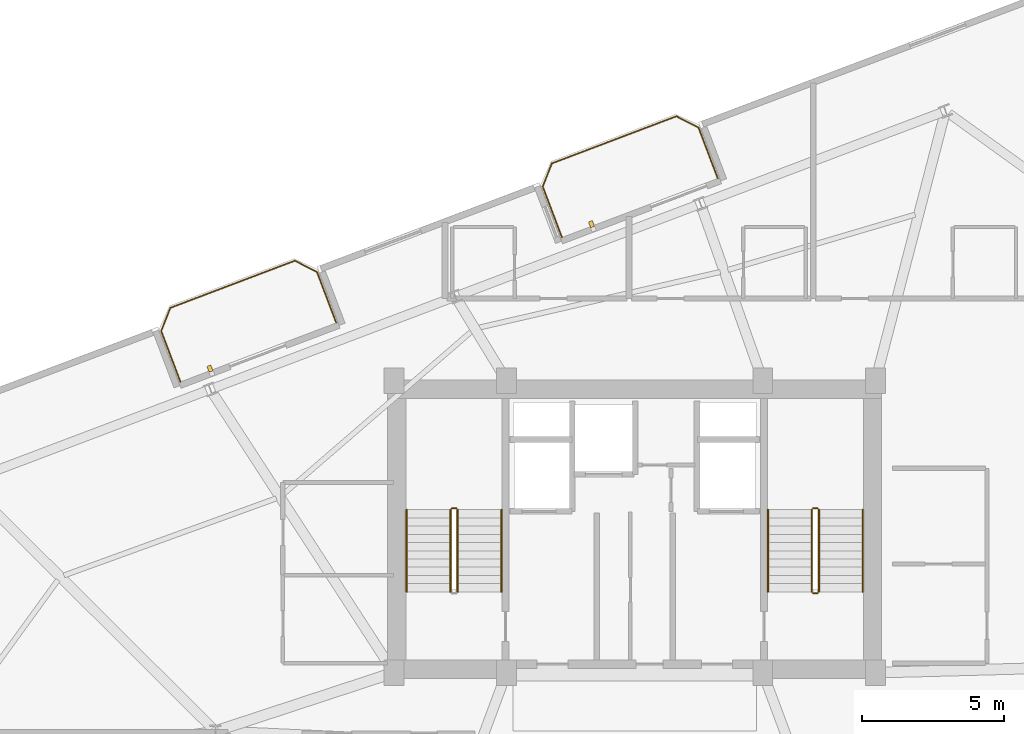
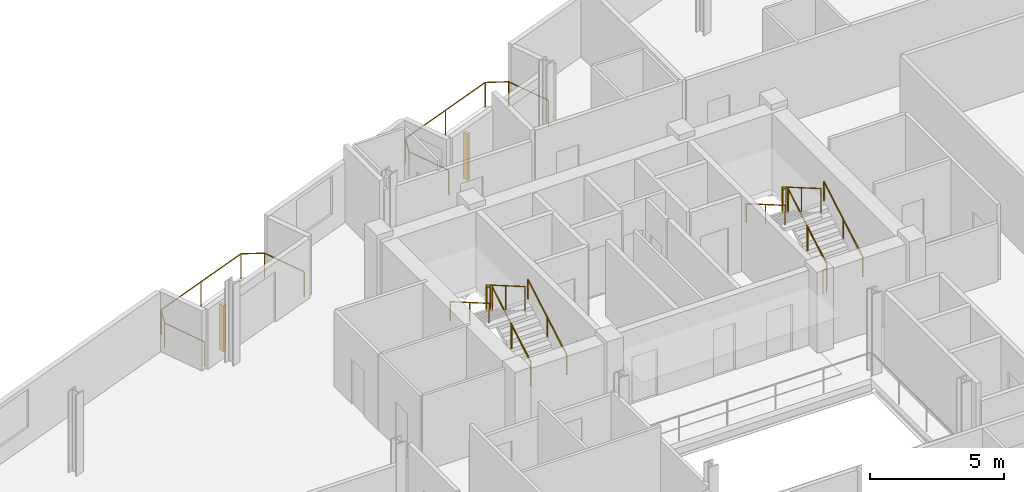
# One storey, part 20 of 20: 13 railings, 2 shading devices.
"""IFC4 building model written with IfcOpenShell, lengths in metres."""

from ifc_helpers import new_model, si_unit, direction, frame, origin, origin_2d, place, context, subcontext, project, spatial, rectangle, circle, extrude, source, transform, mapped, material, type_object, element, save


model = new_model("IFC4")

# Units and contexts
model_context = context("Model", 3, precision=1e-05, world=origin(), true_north=direction((0.0, 1.0)))
body_context = subcontext(model_context, "Body", "Model", "MODEL_VIEW")
ifc_project = project(units=[si_unit("LENGTHUNIT", "METRE"), si_unit("AREAUNIT", "SQUARE_METRE"), si_unit("VOLUMEUNIT", "CUBIC_METRE"), si_unit("PLANEANGLEUNIT", "RADIAN"), si_unit("MASSUNIT", "GRAM", prefix="KILO")], contexts=[model_context])

# Site, building, storey
site_placement = place(None, origin())
site = spatial("IfcSite", under=ifc_project, at=site_placement, CompositionType="ELEMENT")
building_placement = place(site_placement, origin())
building = spatial("IfcBuilding", under=site, at=building_placement, Name="Varnelok Gate Tower", CompositionType="ELEMENT")
storey_placement = place(building_placement, frame((0.0, 0.0, 238.60009765625)))
storey = spatial("IfcBuildingStorey", under=building, at=storey_placement, Name="L61", CompositionType="ELEMENT", Elevation=238.60009765625)

# Railings
ifc_material_1 = material(Name="Low-E Laminated Double Glazing IGU", Category="glass")
railing_type_1 = type_object("IfcRailingType", Name="RL-BALC-1150", PredefinedType="BALUSTRADE", material=ifc_material_1)
railing_1_placement = place(storey_placement, frame((23.166748046875, 39.011474609375, 0.0)))
element("IfcRailing", 1, at=railing_1_placement, inside=storey, type_object=railing_type_1, Name="L61 North Terrace Balustrade 3", PredefinedType="BALUSTRADE", context=body_context, shape_type="SweptSolid", body=[
    extrude(circle(Radius=0.02392578125, at=origin_2d()), frame((0.0, 0.0, 1.1259765625), z_axis=(-0.354159661475, 0.935184973245, 0.0), x_axis=(-0.935184973245, -0.354159661475, 0.0)), (0.0, 0.0, 1.0), 1.919921875),
    extrude(circle(Radius=0.02392578125, at=origin_2d()), frame((-0.679931640625, 1.79541015625, 1.1259765625), z_axis=(0.366495340819, 0.93041988648, 0.0), x_axis=(-0.93041988648, 0.366495340819, 0.0)), (0.0, 0.0, 1.0), 0.8779296875),
    extrude(circle(Radius=0.02392578125, at=origin_2d()), frame((-0.358154296875, 2.6123046875, 1.1259765625), z_axis=(0.935223045203, 0.354059113314, 0.0), x_axis=(-0.354059113314, 0.935223045203, 0.0)), (0.0, 0.0, 1.0), 4.699951171875),
    extrude(circle(Radius=0.02392578125, at=origin_2d()), frame((4.037353515625, 4.2763671875, 1.1259765625), z_axis=(0.89078254773, -0.454429810487, 0.0), x_axis=(0.454429810487, 0.89078254773, 0.0)), (0.0, 0.0, 1.0), 0.8779296875),
    extrude(circle(Radius=0.02392578125, at=origin_2d()), frame((4.8193359375, 3.87744140625, 1.1259765625), z_axis=(0.354006333352, -0.935243025073, 0.0), x_axis=(0.935243025073, 0.354006333352, 0.0)), (0.0, 0.0, 1.0), 1.919921875),
    extrude(circle(Radius=0.02099609375, at=origin_2d()), origin(), (0.0, 0.0, 1.0), 1.101806640625),
    extrude(circle(Radius=0.02099609375, at=origin_2d()), frame((-0.679931640625, 1.79541015625, 0.0)), (0.0, 0.0, 1.0), 1.101806640625),
    extrude(circle(Radius=0.02099609375, at=origin_2d()), frame((-0.358154296875, 2.6123046875, 0.0)), (0.0, 0.0, 1.0), 1.101806640625),
    extrude(circle(Radius=0.02099609375, at=origin_2d()), frame((1.839599609375, 3.4443359375, 0.0)), (0.0, 0.0, 1.0), 1.101806640625),
    extrude(circle(Radius=0.02099609375, at=origin_2d()), frame((4.037353515625, 4.2763671875, 0.0)), (0.0, 0.0, 1.0), 1.101806640625),
    extrude(circle(Radius=0.02099609375, at=origin_2d()), frame((4.8193359375, 3.87744140625, 0.0)), (0.0, 0.0, 1.0), 1.101806640625),
    extrude(circle(Radius=0.02099609375, at=origin_2d()), frame((5.4990234375, 2.081787109375, 0.0)), (0.0, 0.0, 1.0), 1.101806640625),
])
railing_2_placement = place(storey_placement, frame((36.6337890625, 44.10986328125, 0.0)))
element("IfcRailing", 2, at=railing_2_placement, inside=storey, type_object=railing_type_1, Name="L61 North Terrace Balustrade 4", PredefinedType="BALUSTRADE", context=body_context, shape_type="SweptSolid", body=[
    extrude(circle(Radius=0.02392578125, at=origin_2d()), frame((0.0, 0.0, 1.1259765625), z_axis=(-0.354006333352, 0.935243025073, 0.0), x_axis=(-0.935243025073, -0.354006333352, 0.0)), (0.0, 0.0, 1.0), 1.919921875),
    extrude(circle(Radius=0.02392578125, at=origin_2d()), frame((-0.6796875, 1.795654296875, 1.1259765625), z_axis=(0.366254584666, 0.930514685113, 0.0), x_axis=(-0.930514685113, 0.366254584666, 0.0)), (0.0, 0.0, 1.0), 0.8779296875),
    extrude(circle(Radius=0.02392578125, at=origin_2d()), frame((-0.358154296875, 2.612548828125, 1.1259765625), z_axis=(0.935229556479, 0.354041913744, 0.0), x_axis=(-0.354041913744, 0.935229556479, 0.0)), (0.0, 0.0, 1.0), 4.7001953125),
    extrude(circle(Radius=0.02392578125, at=origin_2d()), frame((4.03759765625, 4.276611328125, 1.1259765625), z_axis=(0.890612455555, -0.454763074589, 0.0), x_axis=(0.454763074589, 0.890612455555, 0.0)), (0.0, 0.0, 1.0), 0.877685546875),
    extrude(circle(Radius=0.02392578125, at=origin_2d()), frame((4.8193359375, 3.87744140625, 1.1259765625), z_axis=(0.354159661475, -0.935184973245, 0.0), x_axis=(0.935184973245, 0.354159661475, 0.0)), (0.0, 0.0, 1.0), 1.919921875),
    extrude(circle(Radius=0.02099609375, at=origin_2d()), origin(), (0.0, 0.0, 1.0), 1.101806640625),
    extrude(circle(Radius=0.02099609375, at=origin_2d()), frame((-0.6796875, 1.795654296875, 0.0)), (0.0, 0.0, 1.0), 1.101806640625),
    extrude(circle(Radius=0.02099609375, at=origin_2d()), frame((-0.358154296875, 2.612548828125, 0.0)), (0.0, 0.0, 1.0), 1.101806640625),
    extrude(circle(Radius=0.02099609375, at=origin_2d()), frame((1.83984375, 3.444580078125, 0.0)), (0.0, 0.0, 1.0), 1.101806640625),
    extrude(circle(Radius=0.02099609375, at=origin_2d()), frame((4.03759765625, 4.276611328125, 0.0)), (0.0, 0.0, 1.0), 1.101806640625),
    extrude(circle(Radius=0.02099609375, at=origin_2d()), frame((4.8193359375, 3.87744140625, 0.0)), (0.0, 0.0, 1.0), 1.101806640625),
    extrude(circle(Radius=0.02099609375, at=origin_2d()), frame((5.499267578125, 2.08203125, 0.0)), (0.0, 0.0, 1.0), 1.101806640625),
])
ifc_material_2 = material(Name="Brushed Stainless Steel AISI 316", Category="steel")
railing_type_2 = type_object("IfcRailingType", Name="RL-HANDRAIL-900", PredefinedType="HANDRAIL", material=ifc_material_2)
railing_3_placement = place(storey_placement, frame((34.5, 31.60009765625, 0.16796875)))
element("IfcRailing", 3, at=railing_3_placement, inside=storey, type_object=railing_type_2, Name="L61 ST-1 stair handrail 1", PredefinedType="HANDRAIL", context=body_context, shape_type="SweptSolid", body=[
    extrude(circle(Radius=0.02392578125, at=origin_2d()), frame((0.0, 0.0, 0.8759765625), z_axis=(0.0, 0.865038774852, 0.501705010941), x_axis=(-1.0, 0.0, 0.0)), (0.0, 0.0, 1.0), 3.352294921875),
    extrude(circle(Radius=0.02099609375, at=origin_2d()), origin(), (0.0, 0.0, 1.0), 0.851806640625),
    extrude(circle(Radius=0.02099609375, at=origin_2d()), frame((0.0, 1.449951171875, 0.8408203125)), (0.0, 0.0, 1.0), 0.851806640625),
    extrude(circle(Radius=0.02099609375, at=origin_2d()), frame((0.0, 2.89990234375, 1.681884765625)), (0.0, 0.0, 1.0), 0.851806640625),
])
railing_4_placement = place(storey_placement, frame((31.14990234375, 34.5, 2.01806640625)))
element("IfcRailing", 4, at=railing_4_placement, inside=storey, type_object=railing_type_2, Name="L61 ST-1 stair handrail 2", PredefinedType="HANDRAIL", context=body_context, shape_type="SweptSolid", body=[
    extrude(circle(Radius=0.02392578125, at=origin_2d()), frame((0.0, 0.0, 0.8759765625), z_axis=(0.0, -0.865038774852, 0.501705010941), x_axis=(1.0, 0.0, 0.0)), (0.0, 0.0, 1.0), 3.352294921875),
    extrude(circle(Radius=0.02099609375, at=origin_2d()), origin(), (0.0, 0.0, 1.0), 0.851806640625),
    extrude(circle(Radius=0.02099609375, at=origin_2d()), frame((0.0, -1.449951171875, 0.8408203125)), (0.0, 0.0, 1.0), 0.851806640625),
    extrude(circle(Radius=0.02099609375, at=origin_2d()), frame((0.0, -2.89990234375, 1.681884765625)), (0.0, 0.0, 1.0), 0.851806640625),
])
railing_5_placement = place(storey_placement, frame((47.25, 31.60009765625, 0.16796875)))
element("IfcRailing", 5, at=railing_5_placement, inside=storey, type_object=railing_type_2, Name="L61 ST-2 stair handrail 1", PredefinedType="HANDRAIL", context=body_context, shape_type="SweptSolid", body=[
    extrude(circle(Radius=0.02392578125, at=origin_2d()), frame((0.0, 0.0, 0.8759765625), z_axis=(0.0, 0.865038774852, 0.501705010941), x_axis=(-1.0, 0.0, 0.0)), (0.0, 0.0, 1.0), 3.352294921875),
    extrude(circle(Radius=0.02099609375, at=origin_2d()), origin(), (0.0, 0.0, 1.0), 0.851806640625),
    extrude(circle(Radius=0.02099609375, at=origin_2d()), frame((0.0, 1.449951171875, 0.8408203125)), (0.0, 0.0, 1.0), 0.851806640625),
    extrude(circle(Radius=0.02099609375, at=origin_2d()), frame((0.0, 2.89990234375, 1.681884765625)), (0.0, 0.0, 1.0), 0.851806640625),
])
railing_6_placement = place(storey_placement, frame((43.89990234375, 34.5, 2.01806640625)))
element("IfcRailing", 6, at=railing_6_placement, inside=storey, type_object=railing_type_2, Name="L61 ST-2 stair handrail 2", PredefinedType="HANDRAIL", context=body_context, shape_type="SweptSolid", body=[
    extrude(circle(Radius=0.02392578125, at=origin_2d()), frame((0.0, 0.0, 0.8759765625), z_axis=(0.0, -0.865038774852, 0.501705010941), x_axis=(1.0, 0.0, 0.0)), (0.0, 0.0, 1.0), 3.352294921875),
    extrude(circle(Radius=0.02099609375, at=origin_2d()), origin(), (0.0, 0.0, 1.0), 0.851806640625),
    extrude(circle(Radius=0.02099609375, at=origin_2d()), frame((0.0, -1.449951171875, 0.8408203125)), (0.0, 0.0, 1.0), 0.851806640625),
    extrude(circle(Radius=0.02099609375, at=origin_2d()), frame((0.0, -2.89990234375, 1.681884765625)), (0.0, 0.0, 1.0), 0.851806640625),
])
ifc_material_3 = material(Name="Galvanized Steel Grade S350GD", Category="steel")
railing_type_3 = type_object("IfcRailingType", Name="RL-STAIR-GUARD1120", PredefinedType="GUARDRAIL", material=ifc_material_3)
railing_7_placement = place(storey_placement, frame((32.949951171875, 31.60009765625, 0.16796875)))
element("IfcRailing", 7, at=railing_7_placement, inside=storey, type_object=railing_type_3, Name="L61 ST-1 stair guard 1", PredefinedType="GUARDRAIL", context=body_context, shape_type="SweptSolid", body=[
    extrude(circle(Radius=0.02392578125, at=origin_2d()), frame((0.0, 0.0, 1.09619140625), z_axis=(0.0, 0.865038774852, 0.501705010941), x_axis=(-1.0, 0.0, 0.0)), (0.0, 0.0, 1.0), 3.352294921875),
    extrude(circle(Radius=0.02099609375, at=origin_2d()), origin(), (0.0, 0.0, 1.0), 1.072021484375),
    extrude(circle(Radius=0.02099609375, at=origin_2d()), frame((0.0, 1.449951171875, 0.8408203125)), (0.0, 0.0, 1.0), 1.072021484375),
    extrude(circle(Radius=0.02099609375, at=origin_2d()), frame((0.0, 2.89990234375, 1.681884765625)), (0.0, 0.0, 1.0), 1.072021484375),
])
railing_8_placement = place(storey_placement, frame((32.89990234375, 34.550048828125, 1.849853515625)))
element("IfcRailing", 8, at=railing_8_placement, inside=storey, type_object=railing_type_3, Name="L61 ST-1 stair guard 2", PredefinedType="GUARDRAIL", context=body_context, shape_type="SweptSolid", body=[
    extrude(circle(Radius=0.02392578125, at=origin_2d()), frame((0.0, 0.0, 1.09619140625), z_axis=(-1.0, 0.0, 0.0), x_axis=(0.0, -1.0, 0.0)), (0.0, 0.0, 1.0), 0.14990234375),
    extrude(circle(Radius=0.02099609375, at=origin_2d()), origin(), (0.0, 0.0, 1.0), 1.072021484375),
    extrude(circle(Radius=0.02099609375, at=origin_2d()), frame((-0.14990234375, 0.0, 0.0)), (0.0, 0.0, 1.0), 1.072021484375),
])
railing_9_placement = place(storey_placement, frame((32.699951171875, 34.5, 2.01806640625)))
element("IfcRailing", 9, at=railing_9_placement, inside=storey, type_object=railing_type_3, Name="L61 ST-1 stair guard 3", PredefinedType="GUARDRAIL", context=body_context, shape_type="SweptSolid", body=[
    extrude(circle(Radius=0.02392578125, at=origin_2d()), frame((0.0, 0.0, 1.09619140625), z_axis=(0.0, -0.865038774852, 0.501705010941), x_axis=(1.0, 0.0, 0.0)), (0.0, 0.0, 1.0), 3.352294921875),
    extrude(circle(Radius=0.02099609375, at=origin_2d()), origin(), (0.0, 0.0, 1.0), 1.072021484375),
    extrude(circle(Radius=0.02099609375, at=origin_2d()), frame((0.0, -1.449951171875, 0.8408203125)), (0.0, 0.0, 1.0), 1.072021484375),
    extrude(circle(Radius=0.02099609375, at=origin_2d()), frame((0.0, -2.89990234375, 1.681884765625)), (0.0, 0.0, 1.0), 1.072021484375),
])
railing_10_placement = place(storey_placement, frame((45.699951171875, 31.60009765625, 0.16796875)))
element("IfcRailing", 10, at=railing_10_placement, inside=storey, type_object=railing_type_3, Name="L61 ST-2 stair guard 1", PredefinedType="GUARDRAIL", context=body_context, shape_type="SweptSolid", body=[
    extrude(circle(Radius=0.02392578125, at=origin_2d()), frame((0.0, 0.0, 1.09619140625), z_axis=(0.0, 0.865038774852, 0.501705010941), x_axis=(-1.0, 0.0, 0.0)), (0.0, 0.0, 1.0), 3.352294921875),
    extrude(circle(Radius=0.02099609375, at=origin_2d()), origin(), (0.0, 0.0, 1.0), 1.072021484375),
    extrude(circle(Radius=0.02099609375, at=origin_2d()), frame((0.0, 1.449951171875, 0.8408203125)), (0.0, 0.0, 1.0), 1.072021484375),
    extrude(circle(Radius=0.02099609375, at=origin_2d()), frame((0.0, 2.89990234375, 1.681884765625)), (0.0, 0.0, 1.0), 1.072021484375),
])
railing_11_placement = place(storey_placement, frame((45.64990234375, 34.550048828125, 1.849853515625)))
element("IfcRailing", 11, at=railing_11_placement, inside=storey, type_object=railing_type_3, Name="L61 ST-2 stair guard 2", PredefinedType="GUARDRAIL", context=body_context, shape_type="SweptSolid", body=[
    extrude(circle(Radius=0.02392578125, at=origin_2d()), frame((0.0, 0.0, 1.09619140625), z_axis=(-1.0, 0.0, 0.0), x_axis=(0.0, -1.0, 0.0)), (0.0, 0.0, 1.0), 0.14990234375),
    extrude(circle(Radius=0.02099609375, at=origin_2d()), origin(), (0.0, 0.0, 1.0), 1.072021484375),
    extrude(circle(Radius=0.02099609375, at=origin_2d()), frame((-0.14990234375, 0.0, 0.0)), (0.0, 0.0, 1.0), 1.072021484375),
])
railing_12_placement = place(storey_placement, frame((45.449951171875, 34.5, 2.01806640625)))
element("IfcRailing", 12, at=railing_12_placement, inside=storey, type_object=railing_type_3, Name="L61 ST-2 stair guard 3", PredefinedType="GUARDRAIL", context=body_context, shape_type="SweptSolid", body=[
    extrude(circle(Radius=0.02392578125, at=origin_2d()), frame((0.0, 0.0, 1.09619140625), z_axis=(0.0, -0.865038774852, 0.501705010941), x_axis=(1.0, 0.0, 0.0)), (0.0, 0.0, 1.0), 3.352294921875),
    extrude(circle(Radius=0.02099609375, at=origin_2d()), origin(), (0.0, 0.0, 1.0), 1.072021484375),
    extrude(circle(Radius=0.02099609375, at=origin_2d()), frame((0.0, -1.449951171875, 0.8408203125)), (0.0, 0.0, 1.0), 1.072021484375),
    extrude(circle(Radius=0.02099609375, at=origin_2d()), frame((0.0, -2.89990234375, 1.681884765625)), (0.0, 0.0, 1.0), 1.072021484375),
])
railing_13_placement = place(storey_placement, frame((45.64990234375, 31.550048828125, 0.0)))
element("IfcRailing", 13, at=railing_13_placement, inside=storey, type_object=railing_type_3, Name="L61 ST-2 stair guard 4", PredefinedType="GUARDRAIL", context=body_context, shape_type="SweptSolid", body=[
    extrude(circle(Radius=0.02392578125, at=origin_2d()), frame((0.0, 0.0, 1.09619140625), z_axis=(-1.0, 0.0, 0.0), x_axis=(0.0, -1.0, 0.0)), (0.0, 0.0, 1.0), 0.14990234375),
    extrude(circle(Radius=0.02099609375, at=origin_2d()), origin(), (0.0, 0.0, 1.0), 1.072021484375),
    extrude(circle(Radius=0.02099609375, at=origin_2d()), frame((-0.14990234375, 0.0, 0.0)), (0.0, 0.0, 1.0), 1.072021484375),
])

# Shading devices
ifc_material_4 = material(Name="Glazed Architectural Terracotta Ceramic", Category="masonry")
shading_device_type = type_object("IfcShadingDeviceType", Name="SHD-TERRA-FIN", PredefinedType="USERDEFINED", material=ifc_material_4)
shared_shape = source(origin(), body_context, "Body", "SweptSolid", [
    extrude(rectangle(XDim=0.139892578125, YDim=0.219970703125, at=origin_2d()), origin(), (0.0, 0.0, 1.0), 2.10009765625),
])
for number, where, z_axis, x_axis, name in (
    (14, (24.2080078125, 39.48046875, 0.099853515625), (0.0, 0.0, 1.0), (0.935221751401, 0.354062530786, 0.0), "L61 Terracotta Ceramic Baguette Sunscreen 3.1"),
    (15, (37.67529296875, 44.5791015625, 0.099853515625), (0.0, 0.0, 1.0), (0.935221751401, 0.354062530786, 0.0), "L61 Terracotta Ceramic Baguette Sunscreen 4.1"),
):
    element("IfcShadingDevice", number, at=place(storey_placement, frame(where, z_axis=z_axis, x_axis=x_axis)), inside=storey, type_object=shading_device_type, Name=name, ObjectType="BAGUETTE", PredefinedType="USERDEFINED", context=body_context, shape_type="MappedRepresentation", body=[
        mapped(shared_shape, transform((0.0, 0.0, 0.0), scale=1.0)),
    ])

save(model, "model.ifc")
